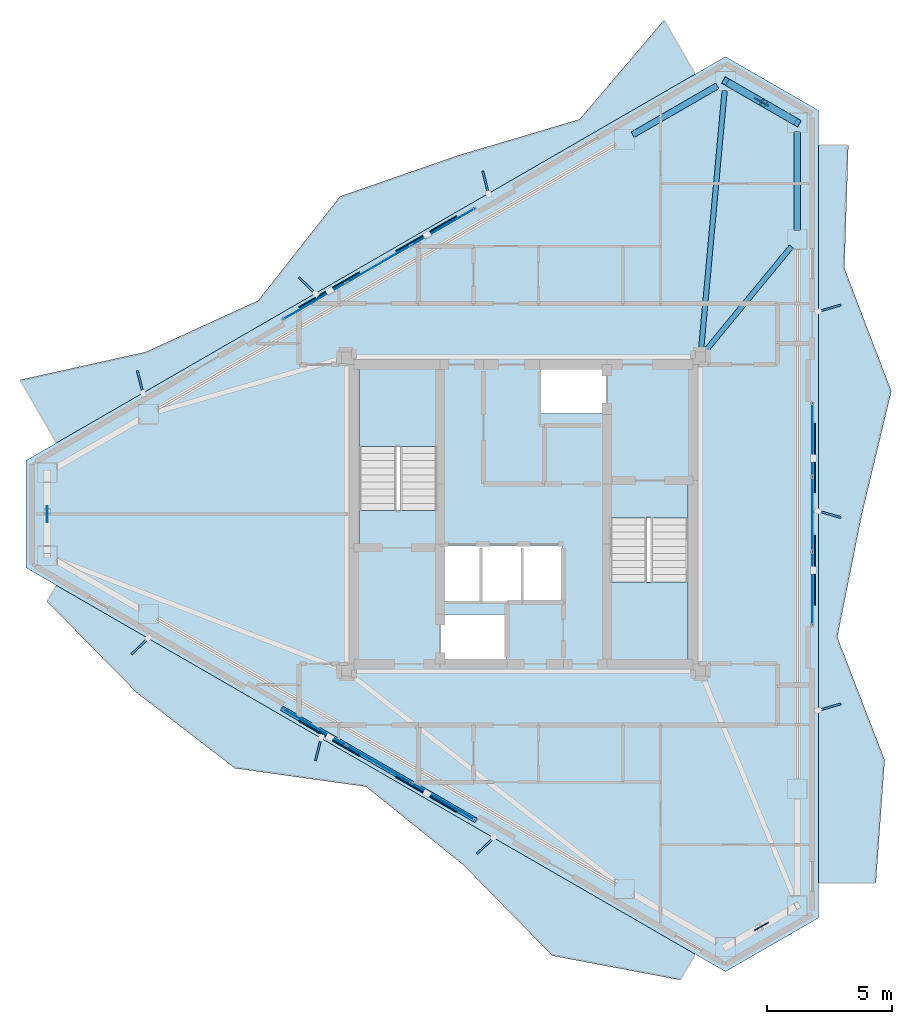
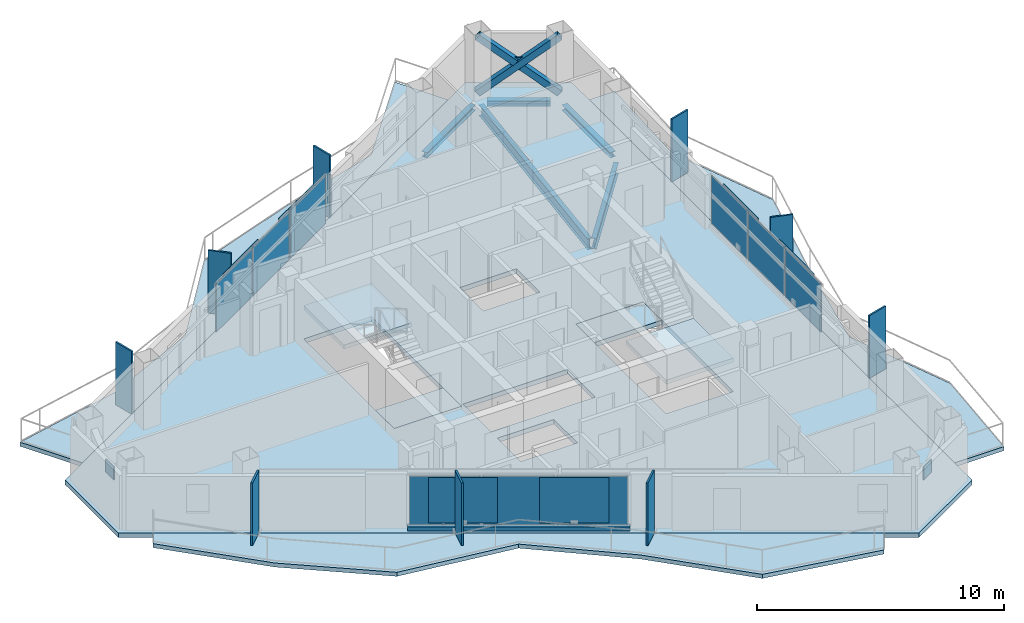
# One storey, part 15 of 22: 27 plates, 8 slabs, 5 beams, 3 members, 1 wall, 5 elements without a shape of their own.
"""IFC4 building model written with IfcOpenShell, lengths in metres."""

from ifc_helpers import new_model, si_unit, direction, frame, frame_2d, origin, origin_2d, place, context, subcontext, project, spatial, polyline, rectangle, hollow_rectangle, i_section, outline, extrude, material, layer, layer_set, material_profile, profile_set, type_object, element, aggregate, save


model = new_model("IFC4")

# Units and contexts
model_context = context("Model", 3, precision=1e-05, world=origin(), true_north=direction((0.0, 1.0)))
body_context = subcontext(model_context, "Body", "Model", "MODEL_VIEW")
ifc_project = project(units=[si_unit("LENGTHUNIT", "METRE"), si_unit("AREAUNIT", "SQUARE_METRE"), si_unit("VOLUMEUNIT", "CUBIC_METRE"), si_unit("PLANEANGLEUNIT", "RADIAN"), si_unit("MASSUNIT", "GRAM", prefix="KILO")], contexts=[model_context])

# Site, building, storey
site_placement = place(None, origin())
site = spatial("IfcSite", under=ifc_project, at=site_placement, CompositionType="ELEMENT")
building_placement = place(site_placement, origin())
building = spatial("IfcBuilding", under=site, at=building_placement, Name="Mersakhor Tower and Convention Hall", CompositionType="ELEMENT")
storey_placement = place(building_placement, frame((0.0, 0.0, 208.5)))
storey = spatial("IfcBuildingStorey", under=building, at=storey_placement, Name="L58", CompositionType="ELEMENT", Elevation=208.5)

# Beams
ifc_material_1 = material(Name="Steel S355", Category="steel")
ifc_material_profile_1 = material_profile(ifc_material_1, i_section(OverallWidth=0.2099609375, OverallDepth=0.53662109375, WebThickness=0.0107421875, FlangeThickness=0.017333984375, at=origin_2d()), Name="UB 533x210x101")
ifc_profile_set_1 = profile_set([ifc_material_profile_1], Name="Steel S355")
beam_type_1 = type_object("IfcBeamType", Name="BM-FB-533", PredefinedType="BEAM", material=ifc_profile_set_1)
beam_1_placement = place(storey_placement, frame((36.125244140625, 33.328857421875, -0.498291015625), z_axis=(0.090367269821, 0.99590850812, 0.0), x_axis=(-0.99590850812, 0.090367269821, 0.0)))
element("IfcBeam", 1, at=beam_1_placement, inside=storey, type_object=beam_type_1, Name="L58 Primary Floor Girder FG-2", PredefinedType="BEAM", context=body_context, shape_type="SweptSolid", body=[
    extrude(i_section(OverallWidth=0.2099609375, OverallDepth=0.53662109375, WebThickness=0.0107421875, FlangeThickness=0.017333984375, at=origin_2d()), origin(), (0.0, 0.0, 1.0), 10.45263671875),
])
beam_2_placement = place(storey_placement, frame((36.278076171875, 33.26611328125, -0.498291015625), z_axis=(0.635588076211, 0.772028365657, 0.0), x_axis=(-0.772028365657, 0.635588076211, 0.0)))
element("IfcBeam", 2, at=beam_2_placement, inside=storey, type_object=beam_type_1, Name="L58 Primary Floor Girder FG-3", PredefinedType="BEAM", context=body_context, shape_type="SweptSolid", body=[
    extrude(i_section(OverallWidth=0.2099609375, OverallDepth=0.53662109375, WebThickness=0.0107421875, FlangeThickness=0.017333984375, at=origin_2d()), origin(), (0.0, 0.0, 1.0), 5.45751953125),
])
ifc_material_2 = material(Name="Steel S355", Category="steel")
ifc_material_profile_2 = material_profile(ifc_material_2, i_section(OverallWidth=0.25634765625, OverallDepth=0.26025390625, WebThickness=0.01025390625, FlangeThickness=0.017333984375, at=origin_2d()), Name="UC 254x254x89")
ifc_profile_set_2 = profile_set([ifc_material_profile_2], Name="Steel S355")
beam_type_2 = type_object("IfcBeamType", Name="BM-SPD-UC254", PredefinedType="SPANDREL", material=ifc_profile_set_2)
beam_3_placement = place(storey_placement, frame((33.380859375, 41.967529296875, -0.360107421875), z_axis=(0.866007153761, 0.500031608635, 0.0), x_axis=(-0.500031608635, 0.866007153761, 0.0)))
element("IfcBeam", 3, at=beam_3_placement, inside=storey, type_object=beam_type_2, Name="L58 Perimeter Spandrel Beam SPB-03", PredefinedType="SPANDREL", context=body_context, shape_type="SweptSolid", body=[
    extrude(i_section(OverallWidth=0.25634765625, OverallDepth=0.26025390625, WebThickness=0.01025390625, FlangeThickness=0.017333984375, at=origin_2d()), origin(), (0.0, 0.0, 1.0), 3.919189453125),
])
beam_4_placement = place(storey_placement, frame((37.43310546875, 43.92724609375, -0.360107421875), z_axis=(0.866036909293, -0.499980071345, 0.0), x_axis=(0.499980071345, 0.866036909293, 0.0)))
element("IfcBeam", 4, at=beam_4_placement, inside=storey, type_object=beam_type_2, Name="L58 Perimeter Spandrel Beam SPB-04", PredefinedType="SPANDREL", context=body_context, shape_type="SweptSolid", body=[
    extrude(i_section(OverallWidth=0.25634765625, OverallDepth=0.26025390625, WebThickness=0.01025390625, FlangeThickness=0.017333984375, at=origin_2d()), origin(), (0.0, 0.0, 1.0), 2.5703125),
])
beam_5_placement = place(storey_placement, frame((39.98828125, 42.072021484375, -0.360107421875), z_axis=(0.0, -1.0, 0.0), x_axis=(1.0, 0.0, 0.0)))
element("IfcBeam", 5, at=beam_5_placement, inside=storey, type_object=beam_type_2, Name="L58 Perimeter Spandrel Beam SPB-05", PredefinedType="SPANDREL", context=body_context, shape_type="SweptSolid", body=[
    extrude(i_section(OverallWidth=0.25634765625, OverallDepth=0.26025390625, WebThickness=0.01025390625, FlangeThickness=0.017333984375, at=origin_2d()), origin(), (0.0, 0.0, 1.0), 3.919189453125),
])

# Members
ifc_material_3 = material(Name="Steel S355", Category="steel")
ifc_material_profile_3 = material_profile(ifc_material_3, hollow_rectangle(XDim=0.300048828125, YDim=0.300048828125, WallThickness=0.01611328125, at=origin_2d()), Name="SHS 300x300x16")
ifc_profile_set_3 = profile_set([ifc_material_profile_3], Name="Steel S355")
member_type = type_object("IfcMemberType", Name="MB-BRC-SHS300", PredefinedType="BRACE", material=ifc_profile_set_3)
member_placement = place(storey_placement, frame((37.10400390625, 44.1171875, 0.14990234375), z_axis=(0.665824923443, -0.384424564314, 0.639448923429), x_axis=(0.50001011158, 0.866019565782, 0.0)))
element("IfcMember", 6, at=member_placement, inside=storey, type_object=member_type, Name="L58 Chamfer Braced Frame Diagonal CB-1A", PredefinedType="BRACE", context=body_context, shape_type="SweptSolid", body=[
    extrude(hollow_rectangle(XDim=0.300048828125, YDim=0.300048828125, WallThickness=0.01611328125, at=origin_2d()), origin(), (0.0, 0.0, 1.0), 4.331787109375),
])
for number, where, z_axis, x_axis, name in (
    (7, (39.98828125, 42.451904296875, 0.14990234375), (-0.665711462011, 0.384476371073, 0.639535901599), (-0.500124558158, -0.865953478154, 0.0), "L58 Chamfer Braced Frame Diagonal CB-1B Lower Half"),
    (8, (38.439208984375, 43.34619140625, 1.6376953125), (-0.665831077073, 0.384475140135, 0.639412107659), (-0.50005597947, -0.86599308161, 0.0), "L58 Chamfer Braced Frame Diagonal CB-1B Upper Half"),
):
    element("IfcMember", number, at=place(storey_placement, frame(where, z_axis=z_axis, x_axis=x_axis)), inside=storey, type_object=member_type, Name=name, PredefinedType="BRACE", context=body_context, shape_type="SweptSolid", body=[
        extrude(hollow_rectangle(XDim=0.300048828125, YDim=0.300048828125, WallThickness=0.01611328125, at=origin_2d()), origin(), (0.0, 0.0, 1.0), 2.00537109375),
    ])

# Curtain wall, plates
ifc_material_4 = material(Name="Dark solar low-E aluminium curtain wall", Category="aluminium")
ifc_layer_1 = layer(ifc_material_4, 0.169921875)
ifc_layer_set_1 = layer_set([ifc_layer_1], Name="Dark solar low-E aluminium curtain wall")
curtain_wall_type = type_object("IfcCurtainWallType", Name="CW-SYS-02", PredefinedType="USERDEFINED", material=ifc_layer_set_1)
curtain_wall_1_placement = place(storey_placement, origin())
curtain_wall_1 = element("IfcCurtainWall", 9, at=curtain_wall_1_placement, inside=storey, type_object=curtain_wall_type, Name="L58 Dark-Glass Curtain Wall F1-B2", ObjectType="CURTAIN WALL", PredefinedType="USERDEFINED")
ifc_material_5 = material(Name="Dark solar double glazing", Category="glass")
ifc_layer_2 = layer(ifc_material_5, 0.028076171875)
ifc_layer_set_2 = layer_set([ifc_layer_2], Name="Dark solar double glazing")
plate_type_1 = type_object("IfcPlateType", Name="CWP-GLZ-28", PredefinedType="CURTAIN_PANEL", material=ifc_layer_set_2)
plate_1_placement = place(storey_placement, frame((20.624267578125, 35.29541015625, 0.260009765625), z_axis=(0.0, 0.0, 1.0), x_axis=(0.86602088627, 0.500007824483, 0.0)))
plate_1 = element("IfcPlate", 10, at=plate_1_placement, type_object=plate_type_1, Name="CW-02 panel 1.1", PredefinedType="CURTAIN_PANEL", context=body_context, shape_type="SweptSolid", body=[
    extrude(rectangle(XDim=2.88720703125, YDim=0.028076171875, at=origin_2d()), origin(), (0.0, 0.0, 1.0), 2.3701171875),
])
plate_2_placement = place(storey_placement, frame((23.205810546875, 36.785888671875, 0.260009765625), z_axis=(0.0, 0.0, 1.0), x_axis=(0.86602088627, 0.500007824483, 0.0)))
plate_2 = element("IfcPlate", 11, at=plate_2_placement, type_object=plate_type_1, Name="CW-02 panel 2.1", PredefinedType="CURTAIN_PANEL", context=body_context, shape_type="SweptSolid", body=[
    extrude(rectangle(XDim=2.924560546875, YDim=0.028076171875, at=origin_2d()), origin(), (0.0, 0.0, 1.0), 2.3701171875),
])
plate_3_placement = place(storey_placement, frame((25.787353515625, 38.2763671875, 0.260009765625), z_axis=(0.0, 0.0, 1.0), x_axis=(0.86602088627, 0.500007824483, 0.0)))
plate_3 = element("IfcPlate", 12, at=plate_3_placement, type_object=plate_type_1, Name="CW-02 panel 3.1", PredefinedType="CURTAIN_PANEL", context=body_context, shape_type="SweptSolid", body=[
    extrude(rectangle(XDim=2.88720703125, YDim=0.028076171875, at=origin_2d()), origin(), (0.0, 0.0, 1.0), 2.3701171875),
])
aggregate(curtain_wall_1, [plate_1, plate_2, plate_3])

curtain_wall_2_placement = place(storey_placement, origin())
curtain_wall_2 = element("IfcCurtainWall", 13, at=curtain_wall_2_placement, inside=storey, type_object=curtain_wall_type, Name="L58 Dark-Glass Curtain Wall F2-B2", ObjectType="CURTAIN WALL", PredefinedType="USERDEFINED")
plate_4_placement = place(storey_placement, frame((40.58837890625, 29.73095703125, 0.260009765625), z_axis=(0.0, 0.0, 1.0), x_axis=(0.0, -1.0, 0.0)))
plate_4 = element("IfcPlate", 14, at=plate_4_placement, type_object=plate_type_1, Name="CW-02 panel 1.1", PredefinedType="CURTAIN_PANEL", context=body_context, shape_type="SweptSolid", body=[
    extrude(rectangle(XDim=2.88720703125, YDim=0.028076171875, at=origin_2d()), origin(), (0.0, 0.0, 1.0), 2.3701171875),
])
plate_5_placement = place(storey_placement, frame((40.58837890625, 26.75, 0.260009765625), z_axis=(0.0, 0.0, 1.0), x_axis=(0.0, -1.0, 0.0)))
plate_5 = element("IfcPlate", 15, at=plate_5_placement, type_object=plate_type_1, Name="CW-02 panel 2.1", PredefinedType="CURTAIN_PANEL", context=body_context, shape_type="SweptSolid", body=[
    extrude(rectangle(XDim=2.924560546875, YDim=0.028076171875, at=origin_2d()), origin(), (0.0, 0.0, 1.0), 2.3701171875),
])
plate_6_placement = place(storey_placement, frame((40.58837890625, 23.76904296875, 0.260009765625), z_axis=(0.0, 0.0, 1.0), x_axis=(0.0, -1.0, 0.0)))
plate_6 = element("IfcPlate", 16, at=plate_6_placement, type_object=plate_type_1, Name="CW-02 panel 3.1", PredefinedType="CURTAIN_PANEL", context=body_context, shape_type="SweptSolid", body=[
    extrude(rectangle(XDim=2.88720703125, YDim=0.028076171875, at=origin_2d()), origin(), (0.0, 0.0, 1.0), 2.3701171875),
])
aggregate(curtain_wall_2, [plate_4, plate_5, plate_6])

curtain_wall_3_placement = place(storey_placement, origin())
curtain_wall_3 = element("IfcCurtainWall", 17, at=curtain_wall_3_placement, inside=storey, type_object=curtain_wall_type, Name="L58 Dark-Glass Curtain Wall F3-B2", ObjectType="CURTAIN WALL", PredefinedType="USERDEFINED")
plate_7_placement = place(storey_placement, frame((25.787353515625, 15.2236328125, 0.260009765625), z_axis=(0.0, 0.0, 1.0), x_axis=(-0.86602088627, 0.500007824483, 0.0)))
plate_7 = element("IfcPlate", 18, at=plate_7_placement, type_object=plate_type_1, Name="CW-02 panel 1.1", PredefinedType="CURTAIN_PANEL", context=body_context, shape_type="SweptSolid", body=[
    extrude(rectangle(XDim=2.88720703125, YDim=0.028076171875, at=origin_2d()), origin(), (0.0, 0.0, 1.0), 2.3701171875),
])
plate_8_placement = place(storey_placement, frame((23.205810546875, 16.714111328125, 0.260009765625), z_axis=(0.0, 0.0, 1.0), x_axis=(-0.86602088627, 0.500007824483, 0.0)))
plate_8 = element("IfcPlate", 19, at=plate_8_placement, type_object=plate_type_1, Name="CW-02 panel 2.1", PredefinedType="CURTAIN_PANEL", context=body_context, shape_type="SweptSolid", body=[
    extrude(rectangle(XDim=2.924560546875, YDim=0.028076171875, at=origin_2d()), origin(), (0.0, 0.0, 1.0), 2.3701171875),
])
plate_9_placement = place(storey_placement, frame((20.624267578125, 18.20458984375, 0.260009765625), z_axis=(0.0, 0.0, 1.0), x_axis=(-0.86602088627, 0.500007824483, 0.0)))
plate_9 = element("IfcPlate", 20, at=plate_9_placement, type_object=plate_type_1, Name="CW-02 panel 3.1", PredefinedType="CURTAIN_PANEL", context=body_context, shape_type="SweptSolid", body=[
    extrude(rectangle(XDim=2.88720703125, YDim=0.028076171875, at=origin_2d()), origin(), (0.0, 0.0, 1.0), 2.3701171875),
])
aggregate(curtain_wall_3, [plate_7, plate_8, plate_9])

# Plates
ifc_material_6 = material(Name="Ceramic-clad aluminium Zone 4 terracotta-coral", Category="masonry")
ifc_material_7 = material(Name="Ceramic-clad aluminium Zone 1 cobalt-slate", Category="masonry")
ifc_layer_3 = layer(ifc_material_7, 0.080078125)
ifc_layer_set_3 = layer_set([ifc_layer_3], Name="Ceramic-clad aluminium Zone 1 cobalt-slate")
plate_type_2 = type_object("IfcPlateType", Name="PL-FIN-80", PredefinedType="USERDEFINED", material=ifc_layer_set_3)
for number, where, z_axis, x_axis, name in (
    (21, (13.629150390625, 32.049560546875, 0.0), (0.0, 0.0, 1.0), (-0.2419218956, 0.970295726276, 0.0), "L58 Zone 4 Coloured Brise-Soleil Fin F1-1"),
    (22, (20.33056640625, 35.918701171875, 0.0), (0.0, 0.0, 1.0), (-0.719339800339, 0.694658370459, 0.0), "L58 Zone 4 Coloured Brise-Soleil Fin F1-2"),
    (23, (27.485595703125, 40.049560546875, 0.0), (0.0, 0.0, 1.0), (-0.2419218956, 0.970295726276, 0.0), "L58 Zone 4 Coloured Brise-Soleil Fin F1-3"),
    (24, (41.27490234375, 35.007080078125, 0.0), (0.0, 0.0, 1.0), (0.961261695938, 0.275637355817, 0.0), "L58 Zone 4 Coloured Brise-Soleil Fin F2-1"),
    (25, (41.27490234375, 26.7451171875, 0.0), (0.0, 0.0, 1.0), (0.961261695938, -0.275637355817, 0.0), "L58 Zone 4 Coloured Brise-Soleil Fin F2-2"),
    (26, (41.27490234375, 19.007080078125, 0.0), (0.0, 0.0, 1.0), (0.961261695938, 0.275637355817, 0.0), "L58 Zone 4 Coloured Brise-Soleil Fin F2-3"),
    (27, (27.47705078125, 13.455322265625, 0.0), (0.0, 0.0, 1.0), (-0.719339800339, -0.694658370459, 0.0), "L58 Zone 4 Coloured Brise-Soleil Fin F3-1"),
    (28, (20.775634765625, 17.324462890625, 0.0), (0.0, 0.0, 1.0), (-0.2419218956, -0.970295726276, 0.0), "L58 Zone 4 Coloured Brise-Soleil Fin F3-2"),
    (29, (13.62060546875, 21.455322265625, 0.0), (0.0, 0.0, 1.0), (-0.719339800339, -0.694658370459, 0.0), "L58 Zone 4 Coloured Brise-Soleil Fin F3-3"),
):
    element("IfcPlate", number, at=place(storey_placement, frame(where, z_axis=z_axis, x_axis=x_axis)), inside=storey, type_object=plate_type_2, material=ifc_material_6, Name=name, ObjectType="FIN", PredefinedType="USERDEFINED", context=body_context, shape_type="SweptSolid", body=[
        extrude(rectangle(XDim=0.949951171875, YDim=0.080078125, at=origin_2d()), origin(), (0.0, 0.0, 1.0), 3.10009765625),
    ])
ifc_material_8 = material(Name="Steel S460", Category="steel")
ifc_layer_4 = layer(ifc_material_8, 0.0400390625)
ifc_layer_set_4 = layer_set([ifc_layer_4], Name="Steel S460")
plate_type_3 = type_object("IfcPlateType", Name="PL-GUSSET-40", PredefinedType="SHEET", material=ifc_layer_set_4)
for number, where, z_axis, x_axis, name in (
    (30, (38.54638671875, 43.28466796875, 1.21484375), (0.0, 0.0, 1.0), (-0.866025403784, 0.5, 0.0), "L58 X-Brace Crossing Gusset Node Plate"),
    (31, (38.54638671875, 10.21533203125, 1.21484375), (0.0, 0.0, 1.0), (0.866025403784, 0.5, 0.0), "L58 X-Brace Crossing Gusset Node Plate"),
    (32, (9.907470703125, 26.75, 1.21484375), (0.0, 0.0, 1.0), (0.0, -1.0, 0.0), "L58 X-Brace Crossing Gusset Node Plate"),
):
    element("IfcPlate", number, at=place(storey_placement, frame(where, z_axis=z_axis, x_axis=x_axis)), inside=storey, type_object=plate_type_3, Name=name, PredefinedType="SHEET", context=body_context, shape_type="SweptSolid", body=[
        extrude(rectangle(XDim=0.639892578125, YDim=0.0400390625, at=origin_2d()), origin(), (0.0, 0.0, 1.0), 0.639892578125),
    ])
ifc_material_9 = material(Name="Perforated ceramic cobogo solar screen", Category="aluminium")
ifc_layer_5 = layer(ifc_material_9, 0.048095703125)
ifc_layer_set_5 = layer_set([ifc_layer_5], Name="Perforated ceramic cobogo solar screen")
plate_type_4 = type_object("IfcPlateType", Name="PL-SCR-48", PredefinedType="USERDEFINED", material=ifc_layer_set_5)
for number, where, z_axis, x_axis, name in (
    (33, (21.21044921875, 35.742431640625, 0.39990234375), (0.0, 0.0, 1.0), (0.866025403784, 0.5, 0.0), "L58 Perforated Ceramic Solar Screen F1-1"),
    (34, (25.107177734375, 37.9921875, 0.39990234375), (0.0, 0.0, 1.0), (0.866025403784, 0.5, 0.0), "L58 Perforated Ceramic Solar Screen F1-2"),
    (35, (40.682373046875, 28.999755859375, 0.39990234375), (0.0, 0.0, 1.0), (0.0, -1.0, 0.0), "L58 Perforated Ceramic Solar Screen F2-1"),
    (36, (40.682373046875, 24.500244140625, 0.39990234375), (0.0, 0.0, 1.0), (0.0, -1.0, 0.0), "L58 Perforated Ceramic Solar Screen F2-2"),
    (37, (25.107177734375, 15.5078125, 0.39990234375), (0.0, 0.0, 1.0), (-0.866025403784, 0.5, 0.0), "L58 Perforated Ceramic Solar Screen F3-1"),
    (38, (21.21044921875, 17.757568359375, 0.39990234375), (0.0, 0.0, 1.0), (-0.866025403784, 0.5, 0.0), "L58 Perforated Ceramic Solar Screen F3-2"),
):
    element("IfcPlate", number, at=place(storey_placement, frame(where, z_axis=z_axis, x_axis=x_axis)), inside=storey, type_object=plate_type_4, Name=name, ObjectType="SCREEN", PredefinedType="USERDEFINED", context=body_context, shape_type="SweptSolid", body=[
        extrude(rectangle(XDim=2.800048828125, YDim=0.048095703125, at=origin_2d()), origin(), (0.0, 0.0, 1.0), 2.239990234375),
    ])

# Slabs
ifc_material_10 = material(Name="Concrete C45/55", Category="concrete")
ifc_layer_6 = layer(ifc_material_10, 0.199951171875)
ifc_layer_set_6 = layer_set([ifc_layer_6], Name="Concrete C45/55")
slab_type_1 = type_object("IfcSlabType", Name="SL-BAL-200", PredefinedType="FLOOR", material=ifc_layer_set_6)
slab_1_placement = place(storey_placement, frame((0.0, 0.0, -0.199951171875)))
element("IfcSlab", 39, at=slab_1_placement, inside=storey, type_object=slab_type_1, Name="L58 Sinusoidal Balcony Slab Face 1", PredefinedType="FLOOR", context=body_context, shape_type="SweptSolid", body=[
    extrude(outline(polyline([(10.27001953125, 29.60595703125), (35.8916015625, 44.398681640625), (34.638916015625, 46.568603515625), (31.246337890625, 42.582763671875), (26.385498046875, 41.14013671875), (21.642578125, 39.493408203125), (18.36083984375, 35.315673828125), (13.8564453125, 33.255615234375), (8.809814453125, 32.134765625), (10.27001953125, 29.60595703125)])), origin(), (0.0, 0.0, 1.0), 0.199951171875),
])
slab_2_placement = place(storey_placement, frame((0.0, 0.0, -0.199951171875)))
element("IfcSlab", 40, at=slab_2_placement, inside=storey, type_object=slab_type_1, Name="L58 Sinusoidal Balcony Slab Face 2", PredefinedType="FLOOR", context=body_context, shape_type="SweptSolid", body=[
    extrude(outline(polyline([(40.83837890625, 41.542724609375), (40.83837890625, 11.957275390625), (43.136962890625, 11.957275390625), (43.489990234375, 16.88818359375), (41.58837890625, 21.819091796875), (42.57861328125, 26.75), (43.75830078125, 31.680908203125), (41.8759765625, 36.61181640625), (42.033447265625, 41.542724609375), (40.83837890625, 41.542724609375)])), origin(), (0.0, 0.0, 1.0), 0.199951171875),
])
slab_3_placement = place(storey_placement, frame((0.0, 0.0, -0.199951171875)))
element("IfcSlab", 41, at=slab_3_placement, inside=storey, type_object=slab_type_1, Name="L58 Sinusoidal Balcony Slab Face 3", PredefinedType="FLOOR", context=body_context, shape_type="SweptSolid", body=[
    extrude(outline(polyline([(35.8916015625, 9.101318359375), (10.27001953125, 23.89404296875), (9.89501953125, 23.244384765625), (13.48095703125, 19.59375), (17.42236328125, 16.558837890625), (22.689208984375, 15.8193359375), (26.57568359375, 12.689208984375), (30.161376953125, 9.0380859375), (35.294189453125, 8.06640625), (35.8916015625, 9.101318359375)])), origin(), (0.0, 0.0, 1.0), 0.199951171875),
])
ifc_material_11 = material(Name="Concrete C40/50", Category="concrete")
ifc_layer_7 = layer(ifc_material_11, 0.22998046875)
ifc_layer_set_7 = layer_set([ifc_layer_7], Name="Concrete C40/50")
slab_type_2 = type_object("IfcSlabType", Name="SL-FLR-230", PredefinedType="FLOOR", material=ifc_layer_set_7)
slab_4_placement = place(storey_placement, frame((0.0, 0.0, -0.22998046875)))
element("IfcSlab", 42, at=slab_4_placement, inside=storey, type_object=slab_type_2, Name="L58 ST-1 Structural Stair Floor Landing", PredefinedType="LANDING", context=body_context, shape_type="SweptSolid", body=[
    extrude(outline(polyline([(25.550048828125, 25.39990234375), (25.550048828125, 26.89990234375), (22.39990234375, 26.89990234375), (22.39990234375, 25.39990234375), (25.550048828125, 25.39990234375)])), origin(), (0.0, 0.0, 1.0), 0.22998046875),
])
slab_5_placement = place(storey_placement, frame((0.0, 0.0, -0.22998046875)))
element("IfcSlab", 43, at=slab_5_placement, inside=storey, type_object=slab_type_2, Name="L58 ST-2 Structural Stair Floor Landing", PredefinedType="LANDING", context=body_context, shape_type="SweptSolid", body=[
    extrude(outline(polyline([(32.449951171875, 28.10009765625), (32.449951171875, 26.60009765625), (35.60009765625, 26.60009765625), (35.60009765625, 28.10009765625), (32.449951171875, 28.10009765625)])), origin(), (0.0, 0.0, 1.0), 0.22998046875),
])
slab_6_placement = place(storey_placement, frame((0.0, 0.0, -0.22998046875)))
element("IfcSlab", 44, at=slab_6_placement, inside=storey, type_object=slab_type_2, Name="Tower L58 Structural Floor Slab", PredefinedType="FLOOR", context=body_context, shape_type="SweptSolid", body=[
    extrude(outline(polyline([(9.0576171875, 28.906005859375), (37.10400390625, 45.0986328125), (40.83837890625, 42.942626953125), (40.83837890625, 10.557373046875), (37.10400390625, 8.4013671875), (9.0576171875, 24.593994140625), (9.0576171875, 28.906005859375)]), holes=[polyline([(25.550048828125, 25.39990234375), (25.550048828125, 32.699951171875), (22.39990234375, 32.699951171875), (22.39990234375, 25.39990234375), (25.550048828125, 25.39990234375)]), polyline([(32.449951171875, 28.10009765625), (32.449951171875, 20.800048828125), (35.60009765625, 20.800048828125), (35.60009765625, 28.10009765625), (32.449951171875, 28.10009765625)]), polyline([(25.679931640625, 20.820068359375), (25.679931640625, 22.719970703125), (28.320068359375, 22.719970703125), (28.320068359375, 20.820068359375), (25.679931640625, 20.820068359375)]), polyline([(29.679931640625, 30.780029296875), (29.679931640625, 32.679931640625), (32.320068359375, 32.679931640625), (32.320068359375, 30.780029296875), (29.679931640625, 30.780029296875)]), polyline([(25.679931640625, 23.25), (25.679931640625, 25.5), (30.570068359375, 25.5), (30.570068359375, 23.25), (25.679931640625, 23.25)])]), origin(), (0.0, 0.0, 1.0), 0.22998046875),
])

# Stair, slab
ifc_material_12 = material(Name="Concrete C45/55", Category="concrete")
stair_type = type_object("IfcStairType", Name="ST-TWR-20R", PredefinedType="HALF_TURN_STAIR", material=ifc_material_12)
stair_1_placement = place(storey_placement, origin())
stair_1 = element("IfcStair", 45, at=stair_1_placement, inside=storey, type_object=stair_type, Name="L58 Tower Protected Exit Stair ST-1", PredefinedType="HALF_TURN_STAIR")
ifc_material_13 = material(Name="Concrete C45/55", Category="concrete")
ifc_layer_8 = layer(ifc_material_13, 0.199951171875)
ifc_layer_set_8 = layer_set([ifc_layer_8], Name="Concrete C45/55")
slab_type_3 = type_object("IfcSlabType", Name="SL-LAND-200", PredefinedType="LANDING", material=ifc_layer_set_8)
slab_7_placement = place(storey_placement, frame((0.0, 0.0, 1.449951171875)))
slab_7 = element("IfcSlab", 46, at=slab_7_placement, type_object=slab_type_3, Name="ST-1 landing 1", PredefinedType="LANDING", context=body_context, shape_type="SweptSolid", body=[
    extrude(outline(polyline([(25.550048828125, 29.465087890625), (25.550048828125, 32.699951171875), (22.39990234375, 32.699951171875), (22.39990234375, 29.465087890625), (25.550048828125, 29.465087890625)])), origin(), (0.0, 0.0, 1.0), 0.199951171875),
])
aggregate(stair_1, [slab_7])

stair_2_placement = place(storey_placement, origin())
stair_2 = element("IfcStair", 47, at=stair_2_placement, inside=storey, type_object=stair_type, Name="L58 Tower Protected Exit Stair ST-2", PredefinedType="HALF_TURN_STAIR")
slab_8_placement = place(storey_placement, frame((0.0, 0.0, 1.449951171875)))
slab_8 = element("IfcSlab", 48, at=slab_8_placement, type_object=slab_type_3, Name="ST-2 landing 1", PredefinedType="LANDING", context=body_context, shape_type="SweptSolid", body=[
    extrude(outline(polyline([(32.449951171875, 24.034912109375), (32.449951171875, 20.800048828125), (35.60009765625, 20.800048828125), (35.60009765625, 24.034912109375), (32.449951171875, 24.034912109375)])), origin(), (0.0, 0.0, 1.0), 0.199951171875),
])
aggregate(stair_2, [slab_8])

# Wall
ifc_material_14 = material(Name="Precast concrete C40/50", Category="concrete")
ifc_layer_9 = layer(ifc_material_14, 0.199951171875)
ifc_layer_set_9 = layer_set([ifc_layer_9], Name="Precast concrete C40/50")
wall_type = type_object("IfcWallType", Name="WL-PAR-200", PredefinedType="PARAPET", material=ifc_layer_set_9)
wall_placement = place(storey_placement, frame((27.102294921875, 14.46435546875, 0.0), z_axis=(0.0, 0.0, 1.0), x_axis=(-0.866020680503, 0.500008180874, 0.0)))
element("IfcWall", 49, at=wall_placement, inside=storey, type_object=wall_type, Name="L58 Curtain Wall Upstand Sill F3-B2", PredefinedType="PARAPET", context=body_context, shape_type="SweptSolid", body=[
    extrude(rectangle(XDim=8.998779296875, YDim=0.199951171875, at=frame_2d((4.49951171875, 0.0))), origin(), (0.0, 0.0, 1.0), 0.199951171875),
])

save(model, "model.ifc")
